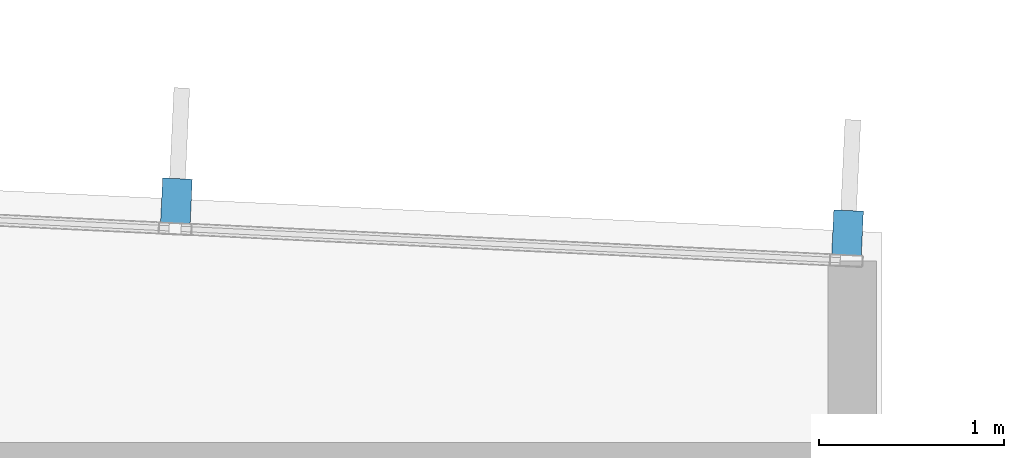
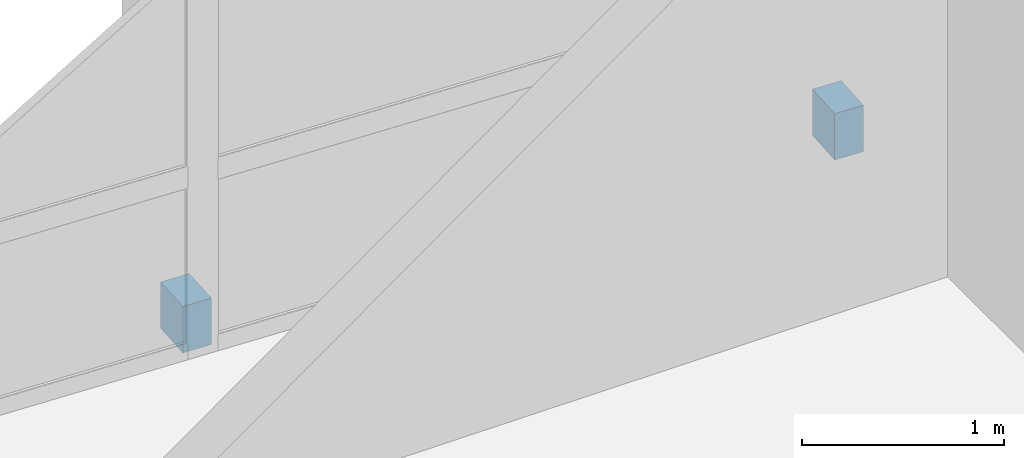
# One storey, part 14 of 17: 2 discrete accessories.
"""IFC4 building model written with IfcOpenShell, lengths in metres."""

from ifc_helpers import new_model, si_unit, direction, frame, origin, origin_2d, place, context, subcontext, project, spatial, rectangle, extrude, material, type_object, element, save


model = new_model("IFC4")

# Units and contexts
model_context = context("Model", 3, precision=1e-05, world=origin(), true_north=direction((0.0, 1.0)))
body_context = subcontext(model_context, "Body", "Model", "MODEL_VIEW")
ifc_project = project(units=[si_unit("LENGTHUNIT", "METRE"), si_unit("AREAUNIT", "SQUARE_METRE"), si_unit("VOLUMEUNIT", "CUBIC_METRE"), si_unit("PLANEANGLEUNIT", "RADIAN"), si_unit("MASSUNIT", "GRAM", prefix="KILO")], contexts=[model_context])

# Site, building, storey
site_placement = place(None, origin())
site = spatial("IfcSite", under=ifc_project, at=site_placement, CompositionType="ELEMENT")
building_placement = place(site_placement, origin())
building = spatial("IfcBuilding", under=site, at=building_placement, Name="Varnakote Quay Hospital", CompositionType="ELEMENT")
storey_placement = place(building_placement, frame((0.0, 0.0, 256.550048828125)))
storey = spatial("IfcBuildingStorey", under=building, at=storey_placement, Name="L63", CompositionType="ELEMENT", Elevation=256.550048828125)

# Discrete accessories
ifc_material = material(Name="Anodised aluminium 6063-T6 Bronze", Category="aluminium")
discrete_accessory_type = type_object("IfcDiscreteAccessoryType", Name="ACC-FIN-BRACKET-180", PredefinedType="BRACKET", material=ifc_material)
for number, where, z_axis, x_axis, name in (
    (1, (39.61474609375, 29.598876953125, 0.0), (0.0, 0.0, 1.0), (-0.998873370853, 0.047455126176, 0.0), "L63 Curtain Wall Fin Fixing Bracket"),
    (2, (35.993408203125, 29.77099609375, 0.0), (0.0, 0.0, 1.0), (-0.998873370853, 0.047455126176, 0.0), "L63 Curtain Wall Fin Fixing Bracket"),
):
    element("IfcDiscreteAccessory", number, at=place(storey_placement, frame(where, z_axis=z_axis, x_axis=x_axis)), inside=storey, type_object=discrete_accessory_type, Name=name, PredefinedType="BRACKET", context=body_context, shape_type="SweptSolid", body=[
        extrude(rectangle(XDim=0.159912109375, YDim=0.239990234375, at=origin_2d()), origin(), (0.0, 0.0, 1.0), 0.280029296875),
    ])

save(model, "model.ifc")
